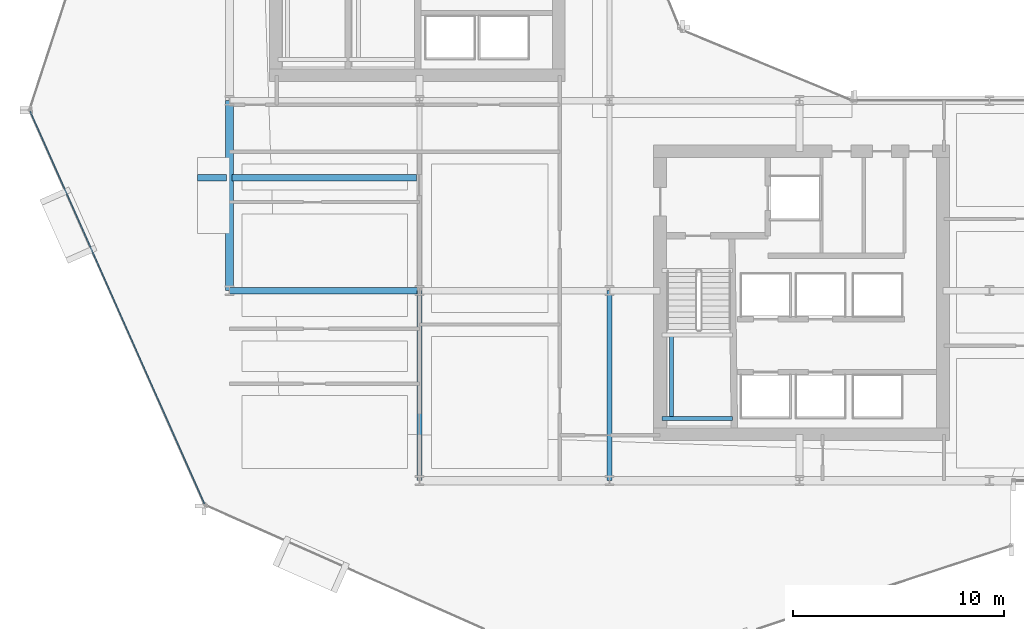
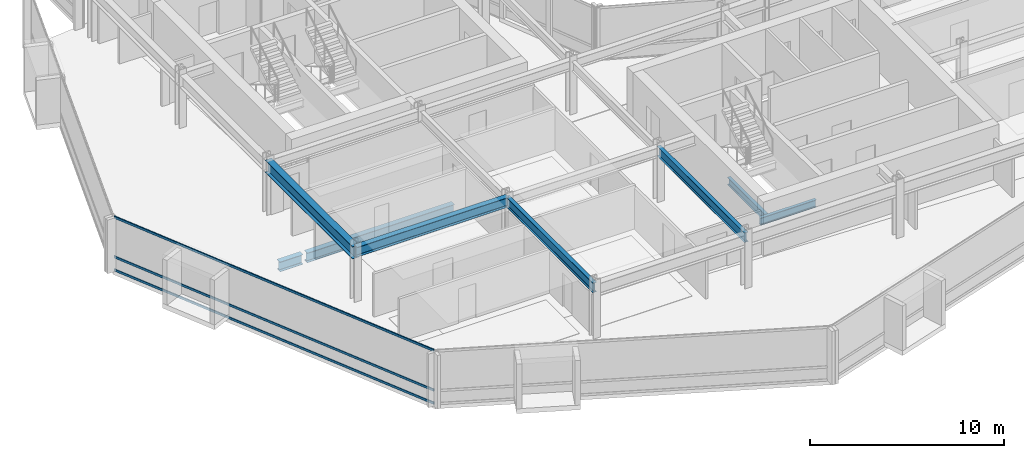
# One storey, part 5 of 34: 8 beams, 3 members, 1 element without a shape of its own.
"""IFC4 building model written with IfcOpenShell, lengths in metres."""

import ifcopenshell
import ifcopenshell.guid

model = None  # the IFC model being written
_history = None  # IfcOwnerHistory: only IFC2X3 demands one
_inside = {}  # id of a spatial element -> (the spatial element, [elements in it])
_under = {}  # id of a project, library or spatial element -> (it, [spatial elements below it])
_declared = {}  # id of a project -> (the project, [libraries it declares])
_typed = {}  # id of a type object -> (the type object, [elements of that type])
_made_of = {}  # id of a material, layer set ... -> (it, [elements and type objects made of it])


def new_model(schema):
    """Start an empty IFC model of exactly this schema.

    Asked for "IFC4X3", IfcOpenShell would pick the latest addendum, in which some entities
    have other attributes; the version numbers below select the first issue.
    IFC2X3 requires an IfcOwnerHistory on every rooted entity: one is made here for all.
    """
    global model, _history
    if schema == "IFC4X3":
        model = ifcopenshell.file(schema_version=(4, 3, 0, 0))
    else:
        model = ifcopenshell.file(schema=schema)
    _inside.clear()
    _under.clear()
    _declared.clear()
    _typed.clear()
    _made_of.clear()
    _history = None
    if model.schema == "IFC2X3":
        org = make("IfcOrganization", Name="unknown")
        user = make(
            "IfcPersonAndOrganization",
            ThePerson=make("IfcPerson", FamilyName="unknown"),
            TheOrganization=org,
        )
        app = make(
            "IfcApplication",
            ApplicationDeveloper=org,
            Version="unknown",
            ApplicationFullName="unknown",
            ApplicationIdentifier="unknown",
        )
        _history = make(
            "IfcOwnerHistory",
            OwningUser=user,
            OwningApplication=app,
            ChangeAction="ADDED",
            CreationDate=0,
        )
    return model


def make(cls, **values):
    """One entity of the class cls with the attributes given. An attribute that is None is left unset."""
    return model.create_entity(
        cls, **{name: value for name, value in values.items() if value is not None}
    )


def rooted(cls, **values):
    """An entity with a GlobalId (a new one), such as an element, a storey or a relation."""
    return make(cls, GlobalId=ifcopenshell.guid.new(), OwnerHistory=_history, **values)


def si_unit(unit_type, name, prefix=None):
    """IfcSIUnit, for example si_unit("LENGTHUNIT", "METRE", prefix="MILLI")."""
    return make("IfcSIUnit", UnitType=unit_type, Prefix=prefix, Name=name)


def assignment(units):
    """IfcUnitAssignment: the units of a project."""
    return None if units is None else make("IfcUnitAssignment", Units=units)


def point(xyz):
    """IfcCartesianPoint."""
    return None if xyz is None else make("IfcCartesianPoint", Coordinates=xyz)


def direction(xyz):
    """IfcDirection."""
    return None if xyz is None else make("IfcDirection", DirectionRatios=xyz)


def frame(location, z_axis=None, x_axis=None):
    """IfcAxis2Placement3D, a coordinate frame: its origin and axes. An axis left out is left unset."""
    return make(
        "IfcAxis2Placement3D",
        Location=point(location),
        Axis=direction(z_axis),
        RefDirection=direction(x_axis),
    )


def frame_2d(location, x_axis=None):
    """IfcAxis2Placement2D, a coordinate frame in the plane: its origin and x axis."""
    return make(
        "IfcAxis2Placement2D", Location=point(location), RefDirection=direction(x_axis)
    )


def origin():
    """The frame at (0, 0, 0) with its axes left unset."""
    return frame((0.0, 0.0, 0.0))


def origin_2d():
    """The frame at (0, 0) in the plane with its x axis left unset."""
    return frame_2d((0.0, 0.0))


def place(relative_to, where):
    """IfcLocalPlacement: puts the frame where relative to a parent placement (None: the world)."""
    return make(
        "IfcLocalPlacement", PlacementRelTo=relative_to, RelativePlacement=where
    )


def context(
    kind, dimensions, precision=None, world=None, true_north=None, identifier=None
):
    """IfcGeometricRepresentationContext, for example the 3D "Model" context."""
    return make(
        "IfcGeometricRepresentationContext",
        ContextIdentifier=identifier,
        ContextType=kind,
        CoordinateSpaceDimension=dimensions,
        Precision=precision,
        WorldCoordinateSystem=world,
        TrueNorth=true_north,
    )


def subcontext(parent, identifier, kind, view, scale=None):
    """IfcGeometricRepresentationSubContext, for example "Body" below "Model"."""
    return make(
        "IfcGeometricRepresentationSubContext",
        ContextIdentifier=identifier,
        ContextType=kind,
        ParentContext=parent,
        TargetScale=scale,
        TargetView=view,
    )


def project(units=None, contexts=None):
    """IfcProject with its units and contexts."""
    return rooted(
        "IfcProject",
        Name="project",
        RepresentationContexts=contexts,
        UnitsInContext=assignment(units),
    )


def spatial(cls, under=None, at=None, **own):
    """A site, building, storey or space (cls), placed at a placement, below another one or the project."""
    s = rooted(cls, ObjectPlacement=at, **own)
    if under is not None:
        _under.setdefault(under.id(), (under, []))[1].append(s)
    return s


def profile(cls, at=None, kind="AREA", **sizes):
    """A parametric profile (cls). Its sizes go by their IFC names, for example OverallWidth=200.0."""
    return make(cls, ProfileType=kind, Position=at, **sizes)


def hollow_rectangle(**sizes):
    """IfcRectangleHollowProfileDef."""
    return profile("IfcRectangleHollowProfileDef", **sizes)


def i_section(**sizes):
    """IfcIShapeProfileDef."""
    return profile("IfcIShapeProfileDef", **sizes)


def extrude(swept, where, along, depth):
    """IfcExtrudedAreaSolid: the profile swept, set in the frame where, extruded along a direction by depth."""
    return make(
        "IfcExtrudedAreaSolid",
        SweptArea=swept,
        Position=where,
        ExtrudedDirection=direction(along),
        Depth=depth,
    )


def shape(context_of_items, identifier, shape_type, items):
    """IfcShapeRepresentation: the items that make up one representation, for example the "Body"."""
    return make(
        "IfcShapeRepresentation",
        ContextOfItems=context_of_items,
        RepresentationIdentifier=identifier,
        RepresentationType=shape_type,
        Items=items,
    )


def material(Name=None, Category=None):
    """IfcMaterial."""
    return make("IfcMaterial", Name=Name, Category=Category)


def layer(
    of_material, thickness, ventilated=None, Name=None, Category=None, Priority=None
):
    """IfcMaterialLayer: one layer of a wall or slab, of a material (None: an air gap)."""
    return make(
        "IfcMaterialLayer",
        Material=of_material,
        LayerThickness=thickness,
        IsVentilated=ventilated,
        Name=Name,
        Category=Category,
        Priority=Priority,
    )


def layer_set(layers, Name=None):
    """IfcMaterialLayerSet."""
    return make("IfcMaterialLayerSet", MaterialLayers=layers, LayerSetName=Name)


def material_profile(
    of_material, cross_section, Name=None, Category=None, Priority=None
):
    """IfcMaterialProfile: a cross section and its material."""
    return make(
        "IfcMaterialProfile",
        Name=Name,
        Material=of_material,
        Profile=cross_section,
        Priority=Priority,
        Category=Category,
    )


def profile_set(profiles, Name=None, composite=None):
    """IfcMaterialProfileSet."""
    return make(
        "IfcMaterialProfileSet",
        Name=Name,
        MaterialProfiles=profiles,
        CompositeProfile=composite,
    )


def made_of(thing, what):
    """Note that an element or type object is made of a material, layer set ...; save() writes the relation."""
    if what is not None:
        _made_of.setdefault(what.id(), (what, []))[1].append(thing)
    return thing


def type_object(cls, material=None, **own):
    """A type object (cls), such as IfcWallType, which elements share."""
    return made_of(rooted(cls, **own), material)


def element(
    cls,
    number,
    at=None,
    inside=None,
    cuts=None,
    type_object=None,
    material=None,
    context=None,
    identifier="Body",
    shape_type=None,
    held_by="IfcProductDefinitionShape",
    body=None,
    shapes=None,
    **own,
):
    """One element of the class cls, such as IfcWall. Its Tag is "e" and its number.

    at: its placement. inside: the storey or other place that contains it. cuts: it is an
    opening in that element (IfcRelVoidsElement). A single representation is given by context,
    identifier, shape_type and body (its items); several are given by shapes. held_by: the class
    of the entity that holds the representations. save() writes the other relations.
    """
    e = rooted(cls, Tag="e%d" % number, ObjectPlacement=at, **own)
    if body is not None:
        shapes = [shape(context, identifier, shape_type, body)]
    if shapes is not None:
        e.Representation = make(held_by, Representations=shapes)
    if inside is not None:
        _inside.setdefault(inside.id(), (inside, []))[1].append(e)
    if cuts is not None:
        rooted(
            "IfcRelVoidsElement", RelatingBuildingElement=cuts, RelatedOpeningElement=e
        )
    if type_object is not None:
        _typed.setdefault(type_object.id(), (type_object, []))[1].append(e)
    return made_of(e, material)


def aggregate(whole, parts):
    """IfcRelAggregates: a whole, such as a stair, and the parts it consists of."""
    return rooted("IfcRelAggregates", RelatingObject=whole, RelatedObjects=parts)


def save(model, path):
    """Write the relations noted so far, then the file.

    IfcRelAggregates (storeys below a building ...), IfcRelContainedInSpatialStructure (elements
    in a storey), IfcRelDefinesByType, IfcRelAssociatesMaterial and IfcRelDeclares: one each for
    every whole, place, type object, material and project.
    """
    for whole, parts in _under.values():
        aggregate(whole, parts)
    for where, things in _inside.values():
        rooted(
            "IfcRelContainedInSpatialStructure",
            RelatedElements=things,
            RelatingStructure=where,
        )
    for kind, things in _typed.values():
        rooted("IfcRelDefinesByType", RelatedObjects=things, RelatingType=kind)
    for what, things in _made_of.values():
        rooted("IfcRelAssociatesMaterial", RelatedObjects=things, RelatingMaterial=what)
    for by, libraries in _declared.values():
        rooted("IfcRelDeclares", RelatingContext=by, RelatedDefinitions=libraries)
    model.write(path)


model = new_model("IFC4")

# Units and contexts
model_context = context("Model", 3, precision=1e-05, world=origin(), true_north=direction((0.0, 1.0)))
body_context = subcontext(model_context, "Body", "Model", "MODEL_VIEW")
ifc_project = project(units=[si_unit("LENGTHUNIT", "METRE"), si_unit("AREAUNIT", "SQUARE_METRE"), si_unit("VOLUMEUNIT", "CUBIC_METRE"), si_unit("PLANEANGLEUNIT", "RADIAN"), si_unit("MASSUNIT", "GRAM", prefix="KILO")], contexts=[model_context])

# Site, building, storey
site_placement = place(None, origin())
site = spatial("IfcSite", under=ifc_project, at=site_placement, CompositionType="ELEMENT")
building_placement = place(site_placement, origin())
building = spatial("IfcBuilding", under=site, at=building_placement, Name="Solvaryn Broadcast Tower", CompositionType="ELEMENT")
storey_placement = place(building_placement, frame((0.0, 0.0, 96.5)))
storey = spatial("IfcBuildingStorey", under=building, at=storey_placement, Name="L23", CompositionType="ELEMENT", Elevation=96.5)

# Beams
ifc_material_1 = material(Name="Steel ASTM A992 Grade 50", Category="steel")
ifc_material_profile_1 = material_profile(ifc_material_1, i_section(OverallWidth=0.323974609375, OverallDepth=0.611083984375, WebThickness=0.0126953125, FlangeThickness=0.01904296875, FilletRadius=0.014892578125, at=origin_2d()))
ifc_profile_set_1 = profile_set([ifc_material_profile_1], Name="Steel ASTM A992 Grade 50")
beam_type_1 = type_object("IfcBeamType", Name="BM-B1-W24X104", PredefinedType="BEAM", material=ifc_profile_set_1)
beam_1_placement = place(storey_placement, frame((17.875, 23.35009765625, -0.58544921875), z_axis=(-1.0, 0.0, 0.0), x_axis=(0.0, -1.0, 0.0)))
element("IfcBeam", 1, at=beam_1_placement, inside=storey, type_object=beam_type_1, Name="L23 Bay-Box Back-Span Beam 1", PredefinedType="BEAM", context=body_context, shape_type="SweptSolid", body=[
    extrude(i_section(OverallWidth=0.323974609375, OverallDepth=0.611083984375, WebThickness=0.0126953125, FlangeThickness=0.01904296875, FilletRadius=0.014892578125, at=origin_2d()), origin(), (0.0, 0.0, 1.0), 8.75),
])
beam_2_placement = place(storey_placement, frame((9.0, 18.0, 3.064453125), z_axis=(1.0, 0.0, 0.0), x_axis=(0.0, 1.0, 0.0)))
element("IfcBeam", 2, at=beam_2_placement, inside=storey, type_object=beam_type_1, Name="L23 Primary Beam X (9-18 @ Y=18)", PredefinedType="BEAM", context=body_context, shape_type="SweptSolid", body=[
    extrude(i_section(OverallWidth=0.323974609375, OverallDepth=0.611083984375, WebThickness=0.0126953125, FlangeThickness=0.01904296875, FilletRadius=0.014892578125, at=origin_2d()), origin(), (0.0, 0.0, 1.0), 9.0),
])
ifc_material_2 = material(Name="Steel ASTM A992 Grade 50", Category="steel")
ifc_material_profile_2 = material_profile(ifc_material_2, i_section(OverallWidth=0.22802734375, OverallDepth=0.60791015625, WebThickness=0.01123046875, FlangeThickness=0.017333984375, FilletRadius=0.014892578125, at=origin_2d()))
ifc_profile_set_2 = profile_set([ifc_material_profile_2], Name="Steel ASTM A992 Grade 50")
beam_type_2 = type_object("IfcBeamType", Name="BM-B2-W24X76", PredefinedType="BEAM", material=ifc_profile_set_2)
for number, where, z_axis, x_axis, name in (
    (3, (18.0, 9.0, 3.06591796875), (0.0, 1.0, 0.0), (-1.0, 0.0, 0.0), "L23 Primary Beam Y (9-18 @ X=18)"),
    (4, (27.0, 9.0, 3.06591796875), (0.0, 1.0, 0.0), (-1.0, 0.0, 0.0), "L23 Primary Beam Y (9-18 @ X=27)"),
):
    element("IfcBeam", number, at=place(storey_placement, frame(where, z_axis=z_axis, x_axis=x_axis)), inside=storey, type_object=beam_type_2, Name=name, PredefinedType="BEAM", context=body_context, shape_type="SweptSolid", body=[
        extrude(i_section(OverallWidth=0.22802734375, OverallDepth=0.60791015625, WebThickness=0.01123046875, FlangeThickness=0.017333984375, FilletRadius=0.014892578125, at=origin_2d()), origin(), (0.0, 0.0, 1.0), 9.0),
    ])
ifc_material_3 = material(Name="Steel ASTM A992 Grade 50", Category="steel")
ifc_material_profile_3 = material_profile(ifc_material_3, i_section(OverallWidth=0.18994140625, OverallDepth=0.45703125, WebThickness=0.009033203125, FlangeThickness=0.014404296875, FilletRadius=0.011962890625, at=origin_2d()))
ifc_profile_set_3 = profile_set([ifc_material_profile_3], Name="Steel ASTM A992 Grade 50")
beam_type_3 = type_object("IfcBeamType", Name="BM-B4-W18X50", PredefinedType="BEAM", material=ifc_profile_set_3)
beam_3_placement = place(storey_placement, frame((29.5, 11.949951171875, 1.42138671875), z_axis=(1.0, 0.0, 0.0), x_axis=(0.0, 1.0, 0.0)))
element("IfcBeam", 5, at=beam_3_placement, inside=storey, type_object=beam_type_3, Name="L23 ST3 Landing Support Beam 1A", PredefinedType="BEAM", context=body_context, shape_type="SweptSolid", body=[
    extrude(i_section(OverallWidth=0.18994140625, OverallDepth=0.45703125, WebThickness=0.009033203125, FlangeThickness=0.014404296875, FilletRadius=0.011962890625, at=origin_2d()), origin(), (0.0, 0.0, 1.0), 3.320068359375),
])
beam_4_placement = place(storey_placement, frame((29.949951171875, 11.949951171875, 1.42138671875), z_axis=(0.0, 1.0, 0.0), x_axis=(-1.0, 0.0, 0.0)))
element("IfcBeam", 6, at=beam_4_placement, inside=storey, type_object=beam_type_3, Name="L23 ST3 Landing Cross Stringer 1C", PredefinedType="BEAM", context=body_context, shape_type="SweptSolid", body=[
    extrude(i_section(OverallWidth=0.18994140625, OverallDepth=0.45703125, WebThickness=0.009033203125, FlangeThickness=0.014404296875, FilletRadius=0.011962890625, at=origin_2d()), origin(), (0.0, 0.0, 1.0), 3.9599609375),
])
ifc_material_4 = material(Name="Steel ASTM A992 Grade 50", Category="steel")
ifc_material_profile_4 = material_profile(ifc_material_4, i_section(OverallWidth=0.323974609375, OverallDepth=0.611083984375, WebThickness=0.0126953125, FlangeThickness=0.01904296875, FilletRadius=0.014892578125, at=origin_2d()))
ifc_profile_set_4 = profile_set([ifc_material_profile_4], Name="Steel ASTM A992 Grade 50")
beam_type_4 = type_object("IfcBeamType", Name="BM-CANT-TER", PredefinedType="BEAM", material=ifc_profile_set_4)
beam_5_placement = place(storey_placement, frame((8.875, 23.35009765625, -0.58544921875), z_axis=(-1.0, 0.0, 0.0), x_axis=(0.0, -1.0, 0.0)))
element("IfcBeam", 7, at=beam_5_placement, inside=storey, type_object=beam_type_4, Name="L23 Bay-Box Cantilever Bracket 1", PredefinedType="BEAM", context=body_context, shape_type="SweptSolid", body=[
    extrude(i_section(OverallWidth=0.323974609375, OverallDepth=0.611083984375, WebThickness=0.0126953125, FlangeThickness=0.01904296875, FilletRadius=0.014892578125, at=origin_2d()), origin(), (0.0, 0.0, 1.0), 1.375),
])
ifc_material_5 = material(Name="Steel ASTM A992 Grade 50", Category="steel")
ifc_material_profile_5 = material_profile(ifc_material_5, i_section(OverallWidth=0.381103515625, OverallDepth=0.77294921875, WebThickness=0.0166015625, FlangeThickness=0.027099609375, FilletRadius=0.01806640625, at=origin_2d()))
ifc_profile_set_5 = profile_set([ifc_material_profile_5], Name="Steel ASTM A992 Grade 50")
beam_type_5 = type_object("IfcBeamType", Name="BM-SP1-W30X173", PredefinedType="USERDEFINED", material=ifc_profile_set_5)
beam_6_placement = place(storey_placement, frame((9.0, 18.0, 2.9833984375), z_axis=(0.0, 1.0, 0.0), x_axis=(-1.0, 0.0, 0.0)))
element("IfcBeam", 8, at=beam_6_placement, inside=storey, type_object=beam_type_5, Name="L23 Spandrel Beam Y (18-27 @ X=9)", ObjectType="SPANDREL", PredefinedType="USERDEFINED", context=body_context, shape_type="SweptSolid", body=[
    extrude(i_section(OverallWidth=0.381103515625, OverallDepth=0.77294921875, WebThickness=0.0166015625, FlangeThickness=0.027099609375, FilletRadius=0.01806640625, at=origin_2d()), origin(), (0.0, 0.0, 1.0), 9.0),
])

# Curtain wall, members
ifc_material_6 = material(Name="Aluminium and Terracotta Unitised Curtain Wall", Category="masonry")
ifc_layer = layer(ifc_material_6, 0.199951171875)
ifc_layer_set = layer_set([ifc_layer], Name="CW-SYS2-LOWMID")
curtain_wall_type = type_object("IfcCurtainWallType", Name="CW-SYS2-LOWMID", PredefinedType="NOTDEFINED", material=ifc_layer_set)
curtain_wall_placement = place(storey_placement, origin())
curtain_wall = element("IfcCurtainWall", 9, at=curtain_wall_placement, inside=storey, type_object=curtain_wall_type, Name="L23 Curtain Wall DR2", PredefinedType="NOTDEFINED")
ifc_material_7 = material(Name="Anodised Aluminium 6063-T6", Category="aluminium")
ifc_material_profile_6 = material_profile(ifc_material_7, hollow_rectangle(XDim=0.06494140625, YDim=0.14990234375, WallThickness=0.00390625, InnerFilletRadius=0.00390625, OuterFilletRadius=0.008056640625, at=origin_2d()))
ifc_profile_set_6 = profile_set([ifc_material_profile_6], Name="Anodised Aluminium 6063-T6")
member_type = type_object("IfcMemberType", Name="CW-TRN-150", PredefinedType="USERDEFINED", material=ifc_profile_set_6)
member_1_placement = place(storey_placement, frame((-0.439697265625, 26.505126953125, 0.030029296875), z_axis=(0.405905872269, -0.913914888191, 0.0), x_axis=(0.913914888191, 0.405905872269, 0.0)))
member_1 = element("IfcMember", 10, at=member_1_placement, type_object=member_type, Name="CWS2 transom 1.1", ObjectType="TRANSOM", PredefinedType="USERDEFINED", context=body_context, shape_type="SweptSolid", body=[
    extrude(hollow_rectangle(XDim=0.06494140625, YDim=0.14990234375, WallThickness=0.00390625, InnerFilletRadius=0.00390625, OuterFilletRadius=0.008056640625, at=origin_2d()), origin(), (0.0, 0.0, 1.0), 20.35546875),
])
member_2_placement = place(storey_placement, frame((-0.439697265625, 26.505126953125, 0.85009765625), z_axis=(0.405905872269, -0.913914888191, 0.0), x_axis=(0.913914888191, 0.405905872269, 0.0)))
member_2 = element("IfcMember", 11, at=member_2_placement, type_object=member_type, Name="CWS2 transom 1.2", ObjectType="TRANSOM", PredefinedType="USERDEFINED", context=body_context, shape_type="SweptSolid", body=[
    extrude(hollow_rectangle(XDim=0.06494140625, YDim=0.14990234375, WallThickness=0.00390625, InnerFilletRadius=0.00390625, OuterFilletRadius=0.008056640625, at=origin_2d()), origin(), (0.0, 0.0, 1.0), 20.35546875),
])
member_3_placement = place(storey_placement, frame((-0.439697265625, 26.505126953125, 3.340087890625), z_axis=(0.405905872269, -0.913914888191, 0.0), x_axis=(0.913914888191, 0.405905872269, 0.0)))
member_3 = element("IfcMember", 12, at=member_3_placement, type_object=member_type, Name="CWS2 transom 1.3", ObjectType="TRANSOM", PredefinedType="USERDEFINED", context=body_context, shape_type="SweptSolid", body=[
    extrude(hollow_rectangle(XDim=0.06494140625, YDim=0.14990234375, WallThickness=0.00390625, InnerFilletRadius=0.00390625, OuterFilletRadius=0.008056640625, at=origin_2d()), origin(), (0.0, 0.0, 1.0), 20.35546875),
])
aggregate(curtain_wall, [member_1, member_2, member_3])

save(model, "model.ifc")
